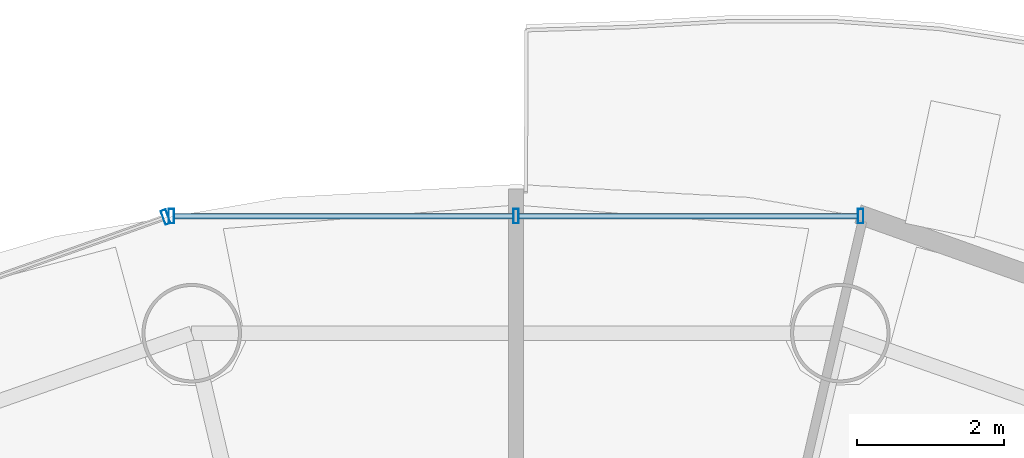
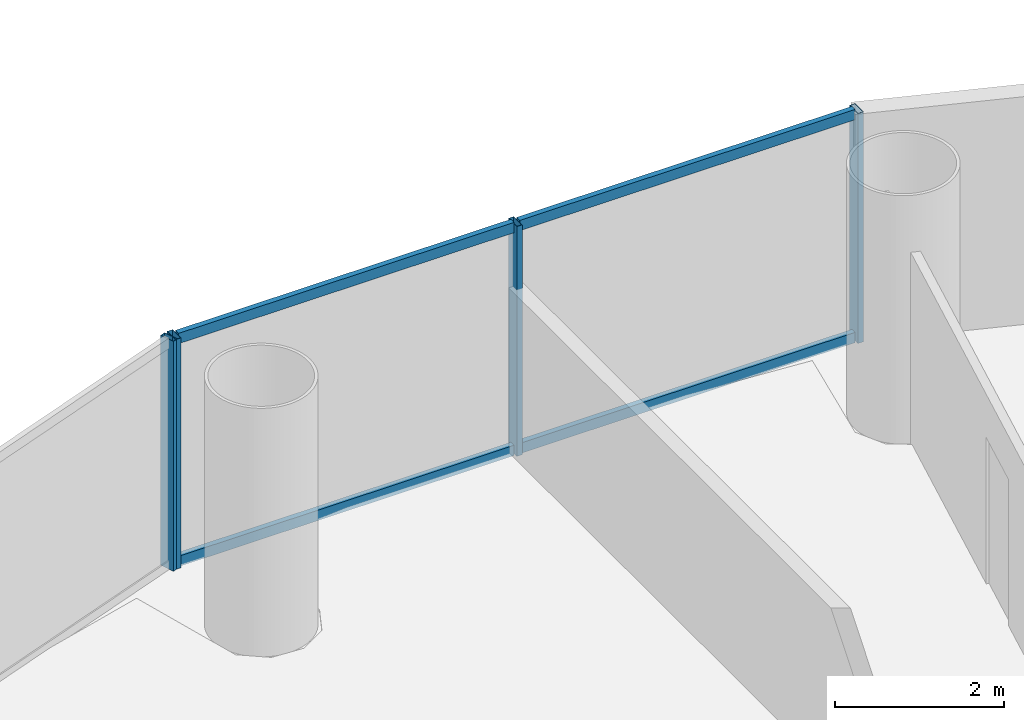
# One storey, part 17 of 27: 8 members, 2 elements without a shape of their own.
"""IFC4 building model written with IfcOpenShell, lengths in metres."""

from ifc_helpers import new_model, si_unit, direction, frame, origin, origin_2d, place, context, subcontext, project, spatial, hollow_rectangle, extrude, source, transform, mapped, material, material_profile, profile_set, type_object, element, aggregate, save


model = new_model("IFC4")

# Units and contexts
model_context = context("Model", 3, precision=1e-05, world=origin(), true_north=direction((-0.2419218956, 0.970295726276)))
body_context = subcontext(model_context, "Body", "Model", "MODEL_VIEW")
ifc_project = project(units=[si_unit("LENGTHUNIT", "METRE"), si_unit("AREAUNIT", "SQUARE_METRE"), si_unit("VOLUMEUNIT", "CUBIC_METRE"), si_unit("PLANEANGLEUNIT", "RADIAN"), si_unit("MASSUNIT", "GRAM", prefix="KILO")], contexts=[model_context])

# Site, building, storey
site_placement = place(None, origin())
site = spatial("IfcSite", under=ifc_project, at=site_placement, CompositionType="ELEMENT")
building_placement = place(site_placement, origin())
building = spatial("IfcBuilding", under=site, at=building_placement, Name="Cobrevalo Terracotta Tower", CompositionType="ELEMENT")
storey_placement = place(building_placement, frame((0.0, 0.0, 164.199951171875)))
storey = spatial("IfcBuildingStorey", under=building, at=storey_placement, Name="L43", CompositionType="ELEMENT", Elevation=164.199951171875)

# Curtain wall, members
ifc_material = material(Name="Anodized aluminium", Category="aluminium")
curtain_wall_type = type_object("IfcCurtainWallType", Name="Mid-tower high-wind unitised curtain wall CW-U2", PredefinedType="NOTDEFINED", material=ifc_material)
curtain_wall_1_placement = place(storey_placement, origin())
curtain_wall_1 = element("IfcCurtainWall", 1, at=curtain_wall_1_placement, inside=storey, type_object=curtain_wall_type, Name="L43 curtain wall CW-L43-S04", PredefinedType="NOTDEFINED")
ifc_material_profile_1 = material_profile(ifc_material, hollow_rectangle(XDim=0.074951171875, YDim=0.199951171875, WallThickness=0.0048828125, at=origin_2d()), Name="CWM 75x200")
ifc_profile_set_1 = profile_set([ifc_material_profile_1], Name="Anodized aluminium")
member_type_1 = type_object("IfcMemberType", Name="Lower/mid tower unitised mullion 75x200", PredefinedType="MULLION", material=ifc_profile_set_1)
shared_shape_1 = source(origin(), body_context, "Body", "SweptSolid", [
    extrude(hollow_rectangle(XDim=0.074951171875, YDim=0.199951171875, WallThickness=0.0048828125, at=origin_2d()), origin(), (0.0, 0.0, 1.0), 3.330078125),
])
member_1_placement = place(storey_placement, frame((42.67529296875, 47.1708984375, 0.0), z_axis=(0.0, 0.0, 1.0), x_axis=(-1.0, 0.0, 0.0)))
member_1 = element("IfcMember", 2, at=member_1_placement, type_object=member_type_1, Name="CW-L43-S04 vertical mullion 01", PredefinedType="MULLION", context=body_context, shape_type="MappedRepresentation", body=[
    mapped(shared_shape_1, transform((0.0, 0.0, 0.0), scale=1.0)),
])
member_2_placement = place(storey_placement, frame((38.0, 47.1708984375, 0.0), z_axis=(0.0, 0.0, 1.0), x_axis=(-1.0, 0.0, 0.0)))
member_2 = element("IfcMember", 3, at=member_2_placement, type_object=member_type_1, Name="CW-L43-S04 vertical mullion 02", PredefinedType="MULLION", context=body_context, shape_type="MappedRepresentation", body=[
    mapped(shared_shape_1, transform((0.0, 0.0, 0.0), scale=1.0)),
])
member_3_placement = place(storey_placement, frame((33.32470703125, 47.1708984375, 0.0), z_axis=(0.0, 0.0, 1.0), x_axis=(-1.0, 0.0, 0.0)))
member_3 = element("IfcMember", 4, at=member_3_placement, type_object=member_type_1, Name="CW-L43-S04 vertical mullion 03", PredefinedType="MULLION", context=body_context, shape_type="MappedRepresentation", body=[
    mapped(shared_shape_1, transform((0.0, 0.0, 0.0), scale=1.0)),
])

# Curtain wall, member
curtain_wall_2_placement = place(storey_placement, origin())
curtain_wall_2 = element("IfcCurtainWall", 5, at=curtain_wall_2_placement, inside=storey, type_object=curtain_wall_type, Name="L43 curtain wall CW-L43-S05", PredefinedType="NOTDEFINED")
member_4_placement = place(storey_placement, frame((33.2470703125, 47.157470703125, 0.0), z_axis=(0.0, 0.0, 1.0), x_axis=(-0.942098428897, -0.335336473217, 0.0)))
member_4 = element("IfcMember", 6, at=member_4_placement, type_object=member_type_1, Name="CW-L43-S05 vertical mullion 01", PredefinedType="MULLION", context=body_context, shape_type="MappedRepresentation", body=[
    mapped(shared_shape_1, transform((0.0, 0.0, 0.0), scale=1.0)),
])
aggregate(curtain_wall_2, [member_4])

# Member
ifc_material_profile_2 = material_profile(ifc_material, hollow_rectangle(XDim=0.074951171875, YDim=0.14990234375, WallThickness=0.00439453125, at=origin_2d()), Name="CWT 75x150")
ifc_profile_set_2 = profile_set([ifc_material_profile_2], Name="Anodized aluminium")
member_type_2 = type_object("IfcMemberType", Name="Tower unitised aluminium transom 75x150", PredefinedType="USERDEFINED", material=ifc_profile_set_2)
shared_shape_2 = source(origin(), body_context, "Body", "SweptSolid", [
    extrude(hollow_rectangle(XDim=0.074951171875, YDim=0.14990234375, WallThickness=0.00439453125, at=origin_2d()), origin(), (0.0, 0.0, 1.0), 4.59521484375),
])
member_5_placement = place(storey_placement, frame((42.63525390625, 47.1708984375, 0.050048828125), z_axis=(-1.0, 0.0, 0.0), x_axis=(0.0, -1.0, 0.0)))
member_5 = element("IfcMember", 7, at=member_5_placement, type_object=member_type_2, Name="CW-L43-S04 transom B01-T1", ObjectType="TRANSOM", PredefinedType="USERDEFINED", context=body_context, shape_type="MappedRepresentation", body=[
    mapped(shared_shape_2, transform((0.0, 0.0, 0.0), scale=1.0)),
])

member_6_placement = place(storey_placement, frame((42.63525390625, 47.1708984375, 3.280029296875), z_axis=(-1.0, 0.0, 0.0), x_axis=(0.0, -1.0, 0.0)))
member_6 = element("IfcMember", 8, at=member_6_placement, type_object=member_type_2, Name="CW-L43-S04 transom B01-T2", ObjectType="TRANSOM", PredefinedType="USERDEFINED", context=body_context, shape_type="MappedRepresentation", body=[
    mapped(shared_shape_2, transform((0.0, 0.0, 0.0), scale=1.0)),
])

member_7_placement = place(storey_placement, frame((37.9599609375, 47.1708984375, 0.050048828125), z_axis=(-1.0, 0.0, 0.0), x_axis=(0.0, -1.0, 0.0)))
member_7 = element("IfcMember", 9, at=member_7_placement, type_object=member_type_2, Name="CW-L43-S04 transom B02-T1", ObjectType="TRANSOM", PredefinedType="USERDEFINED", context=body_context, shape_type="MappedRepresentation", body=[
    mapped(shared_shape_2, transform((0.0, 0.0, 0.0), scale=1.0)),
])

member_8_placement = place(storey_placement, frame((37.9599609375, 47.1708984375, 3.280029296875), z_axis=(-1.0, 0.0, 0.0), x_axis=(0.0, -1.0, 0.0)))
member_8 = element("IfcMember", 10, at=member_8_placement, type_object=member_type_2, Name="CW-L43-S04 transom B02-T2", ObjectType="TRANSOM", PredefinedType="USERDEFINED", context=body_context, shape_type="MappedRepresentation", body=[
    mapped(shared_shape_2, transform((0.0, 0.0, 0.0), scale=1.0)),
])

aggregate(curtain_wall_1, [member_1, member_2, member_3, member_5, member_6, member_7, member_8])

save(model, "model.ifc")
